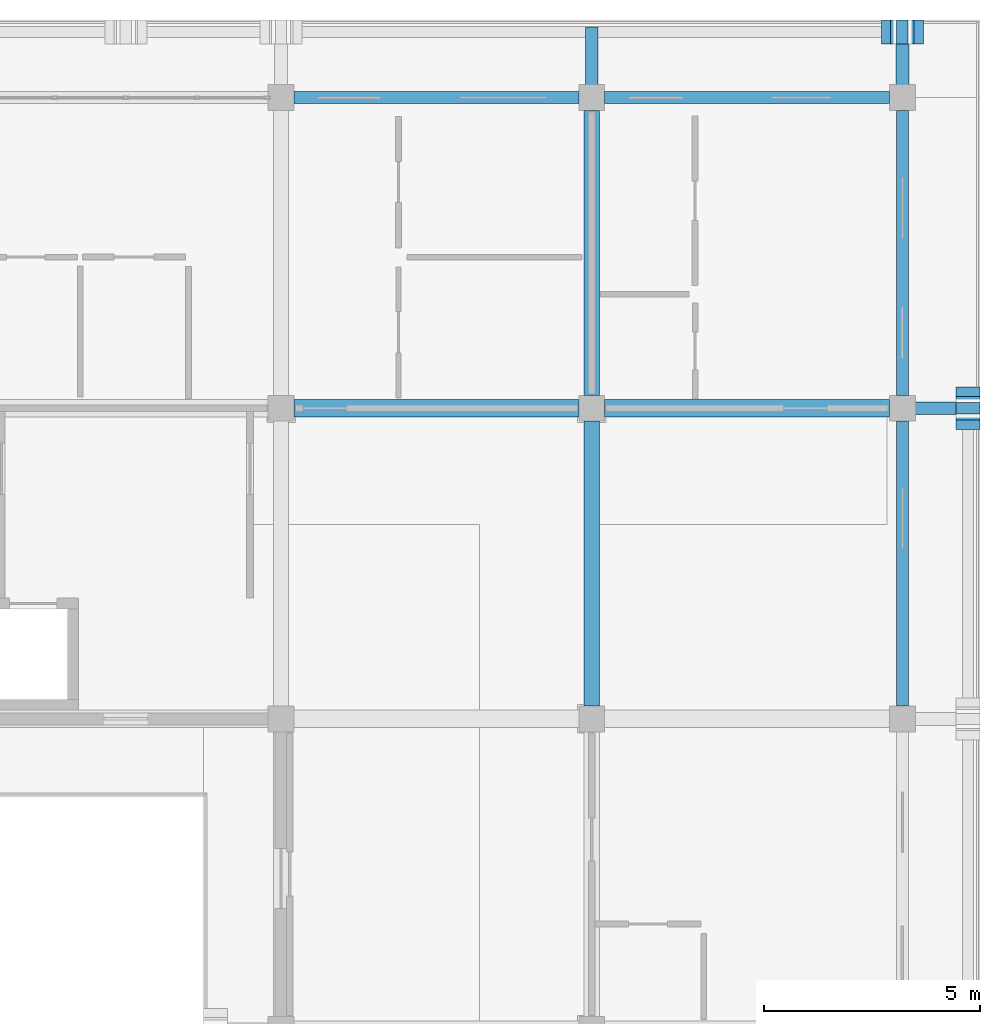
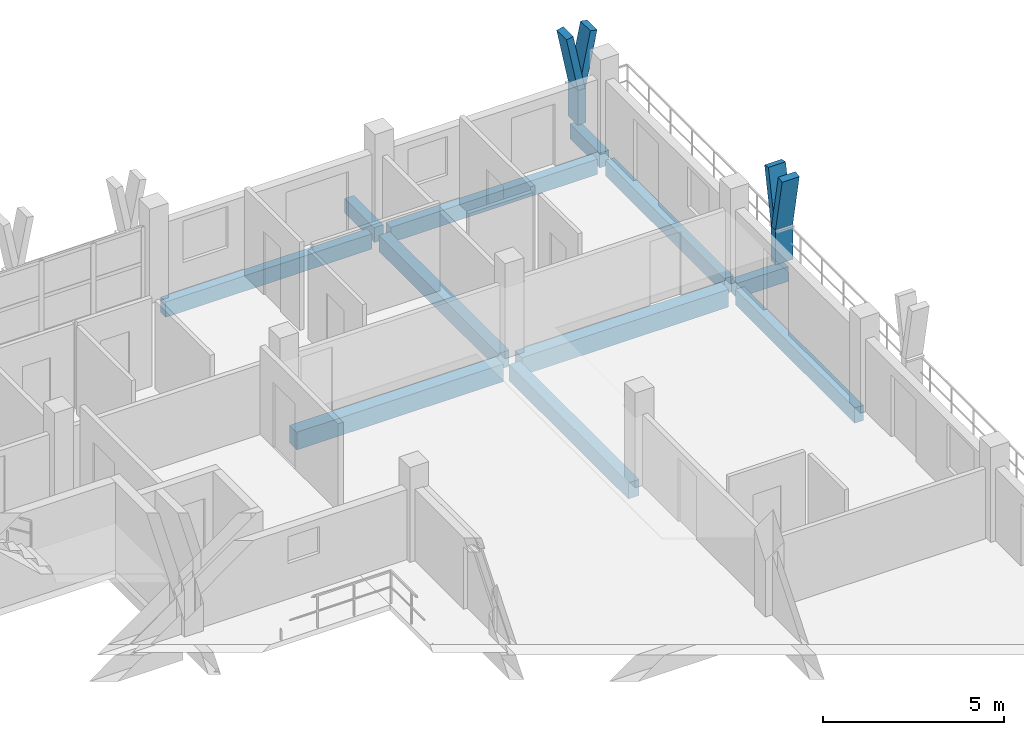
# One storey, part 32 of 76: 11 beams, 6 members.
"""IFC4 building model written with IfcOpenShell, lengths in metres."""

from ifc_helpers import new_model, si_unit, direction, frame, origin, origin_2d, place, context, subcontext, project, spatial, rectangle, extrude, material, material_profile, profile_set, type_object, element, save


model = new_model("IFC4")

# Units and contexts
model_context = context("Model", 3, precision=1e-05, world=origin(), true_north=direction((0.0, 1.0)))
body_context = subcontext(model_context, "Body", "Model", "MODEL_VIEW")
ifc_project = project(units=[si_unit("LENGTHUNIT", "METRE"), si_unit("AREAUNIT", "SQUARE_METRE"), si_unit("VOLUMEUNIT", "CUBIC_METRE"), si_unit("PLANEANGLEUNIT", "RADIAN"), si_unit("MASSUNIT", "GRAM", prefix="KILO")], contexts=[model_context])

# Site, building, storey
site_placement = place(None, origin())
site = spatial("IfcSite", under=ifc_project, at=site_placement, CompositionType="ELEMENT")
building_placement = place(site_placement, origin())
building = spatial("IfcBuilding", under=site, at=building_placement, Name="Suanplinth Sawtooth Commons", CompositionType="ELEMENT")
storey_placement = place(building_placement, frame((0.0, 0.0, 12.199951171875)))
storey = spatial("IfcBuildingStorey", under=building, at=storey_placement, Name="L03", CompositionType="ELEMENT", Elevation=12.199951171875)

# Beams
ifc_material_1 = material(Name="Precast concrete C40/50", Category="concrete")
ifc_material_profile_1 = material_profile(ifc_material_1, rectangle(XDim=0.39990234375, YDim=0.60009765625, at=origin_2d()), Name="PC-GDR 400x600")
ifc_profile_set_1 = profile_set([ifc_material_profile_1], Name="Precast concrete C40/50")
beam_type_1 = type_object("IfcBeamType", Name="B-05", PredefinedType="USERDEFINED", material=ifc_profile_set_1)
for number, where, z_axis, x_axis, name in (
    (1, (173.10009765625, 115.199951171875, -0.5400390625), (1.0, 0.0, 0.0), (0.0, 1.0, 0.0), "BMX-L03-B-24-16"),
    (2, (180.300048828125, 115.199951171875, -0.5400390625), (1.0, 0.0, 0.0), (0.0, 1.0, 0.0), "BMX-L03-B-25-16"),
):
    element("IfcBeam", number, at=place(storey_placement, frame(where, z_axis=z_axis, x_axis=x_axis)), inside=storey, type_object=beam_type_1, Name=name, ObjectType="GIRDER", PredefinedType="USERDEFINED", context=body_context, shape_type="SweptSolid", body=[
        extrude(rectangle(XDim=0.39990234375, YDim=0.60009765625, at=origin_2d()), origin(), (0.0, 0.0, 1.0), 6.599853515625),
    ])
ifc_material_profile_2 = material_profile(ifc_material_1, rectangle(XDim=0.35009765625, YDim=0.550048828125, at=origin_2d()), Name="PC-BM 350x550")
ifc_profile_set_2 = profile_set([ifc_material_profile_2], Name="Precast concrete C40/50")
beam_type_2 = type_object("IfcBeamType", Name="B-06", PredefinedType="BEAM", material=ifc_profile_set_2)
beam_1_placement = place(storey_placement, frame((180.0, 108.300048828125, -0.514892578125), z_axis=(0.0, 1.0, 0.0), x_axis=(-1.0, 0.0, 0.0)))
element("IfcBeam", 3, at=beam_1_placement, inside=storey, type_object=beam_type_2, Name="BMY-L03-B-25-15", PredefinedType="BEAM", context=body_context, shape_type="SweptSolid", body=[
    extrude(rectangle(XDim=0.35009765625, YDim=0.550048828125, at=origin_2d()), origin(), (0.0, 0.0, 1.0), 6.599853515625),
])
beam_2_placement = place(storey_placement, frame((180.0, 115.5, -0.514892578125), z_axis=(0.0, 1.0, 0.0), x_axis=(-1.0, 0.0, 0.0)))
element("IfcBeam", 4, at=beam_2_placement, inside=storey, type_object=beam_type_2, Name="BMY-L03-B-25-16", PredefinedType="BEAM", context=body_context, shape_type="SweptSolid", body=[
    extrude(rectangle(XDim=0.35009765625, YDim=0.550048828125, at=origin_2d()), origin(), (0.0, 0.0, 1.0), 6.60009765625),
])
ifc_material_profile_3 = material_profile(ifc_material_1, rectangle(XDim=0.300048828125, YDim=0.5, at=origin_2d()), Name="PC-BM 300x500")
ifc_profile_set_3 = profile_set([ifc_material_profile_3], Name="Precast concrete C40/50")
beam_type_3 = type_object("IfcBeamType", Name="B-07", PredefinedType="BEAM", material=ifc_profile_set_3)
for number, where, z_axis, x_axis, name in (
    (5, (180.0, 122.39990234375, -0.429931640625), (0.0, 1.0, 0.0), (-1.0, 0.0, 0.0), "Balcony Outrigger L03-B-N-25"),
    (6, (187.199951171875, 122.39990234375, -0.429931640625), (0.0, 1.0, 0.0), (-1.0, 0.0, 0.0), "Balcony Outrigger L03-B-N-26"),
    (7, (187.199951171875, 115.199951171875, -0.429931640625), (1.0, 0.0, 0.0), (0.0, 1.0, 0.0), "Balcony Outrigger L03-B-E-16"),
):
    element("IfcBeam", number, at=place(storey_placement, frame(where, z_axis=z_axis, x_axis=x_axis)), inside=storey, type_object=beam_type_3, Name=name, PredefinedType="BEAM", context=body_context, shape_type="SweptSolid", body=[
        extrude(rectangle(XDim=0.300048828125, YDim=0.5, at=origin_2d()), origin(), (0.0, 0.0, 1.0), 1.64013671875),
    ])
ifc_material_profile_4 = material_profile(ifc_material_1, rectangle(XDim=0.280029296875, YDim=0.52001953125, at=origin_2d()), Name="PC-SP 280x520")
ifc_profile_set_4 = profile_set([ifc_material_profile_4], Name="Precast concrete C40/50")
beam_type_4 = type_object("IfcBeamType", Name="B-08", PredefinedType="SPANDREL", material=ifc_profile_set_4)
for number, where, z_axis, x_axis, name in (
    (8, (173.10009765625, 122.39990234375, -0.5), (1.0, 0.0, 0.0), (0.0, 1.0, 0.0), "BMX-L03-B-24-17"),
    (9, (180.300048828125, 122.39990234375, -0.5), (1.0, 0.0, 0.0), (0.0, 1.0, 0.0), "BMX-L03-B-25-17"),
    (10, (187.199951171875, 108.300048828125, -0.5), (0.0, 1.0, 0.0), (-1.0, 0.0, 0.0), "BMY-L03-B-26-15"),
):
    element("IfcBeam", number, at=place(storey_placement, frame(where, z_axis=z_axis, x_axis=x_axis)), inside=storey, type_object=beam_type_4, Name=name, PredefinedType="SPANDREL", context=body_context, shape_type="SweptSolid", body=[
        extrude(rectangle(XDim=0.280029296875, YDim=0.52001953125, at=origin_2d()), origin(), (0.0, 0.0, 1.0), 6.599853515625),
    ])
beam_3_placement = place(storey_placement, frame((187.199951171875, 115.5, -0.5), z_axis=(0.0, 1.0, 0.0), x_axis=(-1.0, 0.0, 0.0)))
element("IfcBeam", 11, at=beam_3_placement, inside=storey, type_object=beam_type_4, Name="BMY-L03-B-26-16", PredefinedType="SPANDREL", context=body_context, shape_type="SweptSolid", body=[
    extrude(rectangle(XDim=0.280029296875, YDim=0.52001953125, at=origin_2d()), origin(), (0.0, 0.0, 1.0), 6.60009765625),
])

# Members
ifc_material_2 = material(Name="Pigmented precast concrete C40/50", Category="concrete")
ifc_material_profile_5 = material_profile(ifc_material_2, rectangle(XDim=0.260009765625, YDim=0.550048828125, at=origin_2d()), Name="PC-FIN 260x550")
ifc_profile_set_5 = profile_set([ifc_material_profile_5], Name="Pigmented precast concrete C40/50")
member_type_1 = type_object("IfcMemberType", Name="M-09", PredefinedType="USERDEFINED", material=ifc_profile_set_5)
for number, where, z_axis, x_axis, name in (
    (12, (187.199951171875, 123.919921875, 0.0), (0.0, 0.0, 1.0), (1.0, 0.0, 0.0), "Y-Blade Stem L03-B-N-08"),
    (13, (188.719970703125, 115.199951171875, 0.0), (0.0, 0.0, 1.0), (0.0, 1.0, 0.0), "Y-Blade Stem L03-B-E-14"),
):
    element("IfcMember", number, at=place(storey_placement, frame(where, z_axis=z_axis, x_axis=x_axis)), inside=storey, type_object=member_type_1, Name=name, ObjectType="SHADING FIN", PredefinedType="USERDEFINED", context=body_context, shape_type="SweptSolid", body=[
        extrude(rectangle(XDim=0.260009765625, YDim=0.550048828125, at=origin_2d()), origin(), (0.0, 0.0, 1.0), 1.170166015625),
    ])
ifc_material_profile_6 = material_profile(ifc_material_2, rectangle(XDim=0.219970703125, YDim=0.550048828125, at=origin_2d()), Name="PC-FIN 220x550")
ifc_profile_set_6 = profile_set([ifc_material_profile_6], Name="Pigmented precast concrete C40/50")
member_type_2 = type_object("IfcMemberType", Name="M-10", PredefinedType="USERDEFINED", material=ifc_profile_set_6)
member_1_placement = place(storey_placement, frame((187.199951171875, 123.919921875, 1.130126953125), z_axis=(-0.196309979414, 0.0, 0.980541886909), x_axis=(0.980541886909, 0.0, 0.196309979414)))
element("IfcMember", 14, at=member_1_placement, inside=storey, type_object=member_type_2, Name="Y-Blade Arm L L03-B-N-08", ObjectType="SHADING FIN", PredefinedType="USERDEFINED", context=body_context, shape_type="SweptSolid", body=[
    extrude(rectangle(XDim=0.219970703125, YDim=0.550048828125, at=origin_2d()), origin(), (0.0, 0.0, 1.0), 1.9375),
])
member_2_placement = place(storey_placement, frame((187.199951171875, 123.919921875, 1.130126953125), z_axis=(0.196431120402, 0.0, 0.980517626021), x_axis=(-0.980517626021, 0.0, 0.196431120402)))
element("IfcMember", 15, at=member_2_placement, inside=storey, type_object=member_type_2, Name="Y-Blade Arm R L03-B-N-08", ObjectType="SHADING FIN", PredefinedType="USERDEFINED", context=body_context, shape_type="SweptSolid", body=[
    extrude(rectangle(XDim=0.219970703125, YDim=0.550048828125, at=origin_2d()), origin(), (0.0, 0.0, 1.0), 1.937744140625),
])
member_3_placement = place(storey_placement, frame((188.719970703125, 115.199951171875, 1.130126953125), z_axis=(0.0, -0.196309979414, 0.980541886909), x_axis=(0.0, 0.980541886909, 0.196309979414)))
element("IfcMember", 16, at=member_3_placement, inside=storey, type_object=member_type_2, Name="Y-Blade Arm L L03-B-E-14", ObjectType="SHADING FIN", PredefinedType="USERDEFINED", context=body_context, shape_type="SweptSolid", body=[
    extrude(rectangle(XDim=0.219970703125, YDim=0.550048828125, at=origin_2d()), origin(), (0.0, 0.0, 1.0), 1.9375),
])
member_4_placement = place(storey_placement, frame((188.719970703125, 115.199951171875, 1.130126953125), z_axis=(0.0, 0.196431120402, 0.980517626021), x_axis=(0.0, -0.980517626021, 0.196431120402)))
element("IfcMember", 17, at=member_4_placement, inside=storey, type_object=member_type_2, Name="Y-Blade Arm R L03-B-E-14", ObjectType="SHADING FIN", PredefinedType="USERDEFINED", context=body_context, shape_type="SweptSolid", body=[
    extrude(rectangle(XDim=0.219970703125, YDim=0.550048828125, at=origin_2d()), origin(), (0.0, 0.0, 1.0), 1.937744140625),
])

save(model, "model.ifc")
